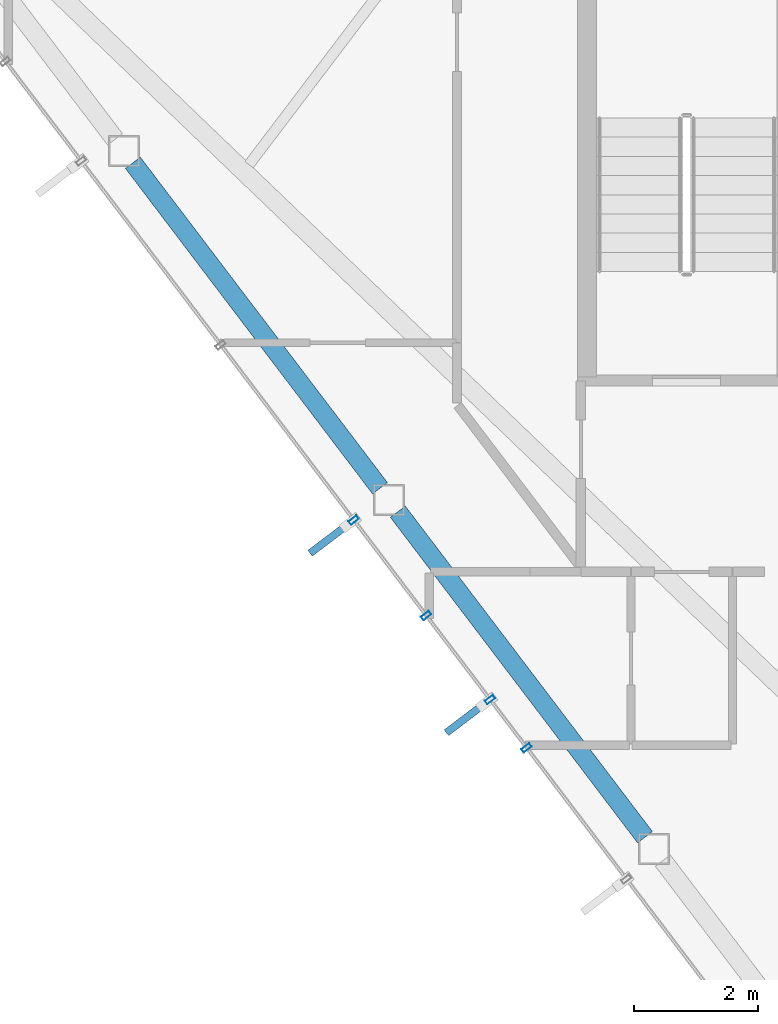
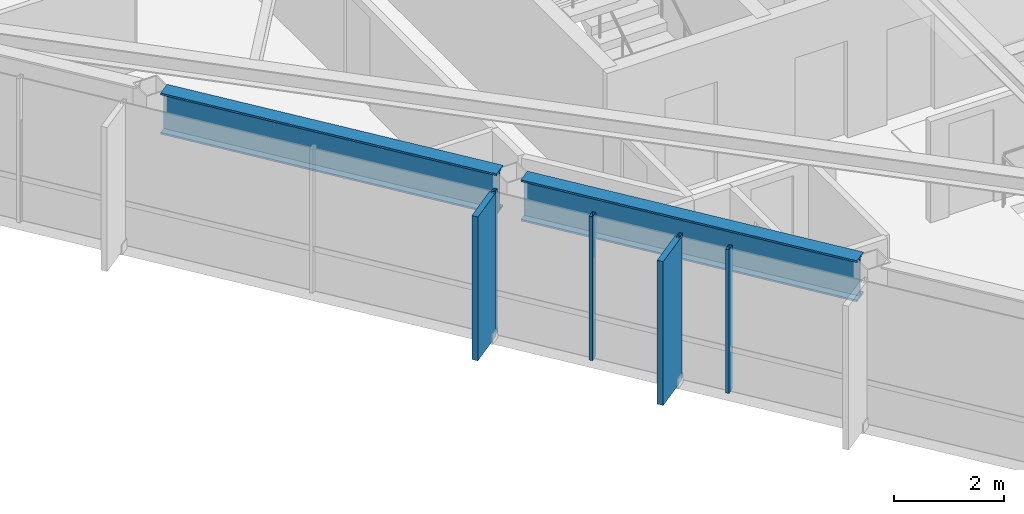
# One storey, part 3 of 24: 6 members, 2 beams, 1 element without a shape of its own.
"""IFC4 building model written with IfcOpenShell, lengths in metres."""

from ifc_helpers import new_model, si_unit, direction, frame, origin, origin_2d, place, context, subcontext, project, spatial, rectangle, hollow_rectangle, i_section, extrude, material, layer, layer_set, material_profile, profile_set, type_object, element, aggregate, save


model = new_model("IFC4")

# Units and contexts
model_context = context("Model", 3, precision=1e-05, world=origin(), true_north=direction((0.0, 1.0)))
body_context = subcontext(model_context, "Body", "Model", "MODEL_VIEW")
ifc_project = project(units=[si_unit("LENGTHUNIT", "METRE"), si_unit("AREAUNIT", "SQUARE_METRE"), si_unit("VOLUMEUNIT", "CUBIC_METRE"), si_unit("PLANEANGLEUNIT", "RADIAN"), si_unit("MASSUNIT", "GRAM", prefix="KILO")], contexts=[model_context])

# Site, building, storey
site_placement = place(None, origin())
site = spatial("IfcSite", under=ifc_project, at=site_placement, CompositionType="ELEMENT")
building_placement = place(site_placement, origin())
building = spatial("IfcBuilding", under=site, at=building_placement, Name="Zarrinselat Tower", CompositionType="ELEMENT")
storey_placement = place(building_placement, frame((0.0, 0.0, 268.60009765625)))
storey = spatial("IfcBuildingStorey", under=building, at=storey_placement, Name="L68", CompositionType="ELEMENT", Elevation=268.60009765625)

# Beams
ifc_material_1 = material(Name="Steel S460M", Category="steel")
ifc_material_profile_1 = material_profile(ifc_material_1, i_section(OverallWidth=0.302001953125, OverallDepth=0.909912109375, WebThickness=0.02099609375, FlangeThickness=0.0400390625, at=origin_2d()), Name="HEM 900")
ifc_profile_set_1 = profile_set([ifc_material_profile_1], Name="Steel S460M")
beam_type = type_object("IfcBeamType", Name="BM-HEM900", PredefinedType="BEAM", material=ifc_profile_set_1)
beam_1_placement = place(storey_placement, frame((21.314697265625, 36.756591796875, 2.724853515625), z_axis=(0.604776578329, -0.796395184757, 0.0), x_axis=(0.796395184757, 0.604776578329, 0.0)))
element("IfcBeam", 1, at=beam_1_placement, inside=storey, type_object=beam_type, Name="L68 Perimeter Spandrel Girder SP07", PredefinedType="BEAM", context=body_context, shape_type="SweptSolid", body=[
    extrude(i_section(OverallWidth=0.302001953125, OverallDepth=0.909912109375, WebThickness=0.02099609375, FlangeThickness=0.0400390625, at=origin_2d()), origin(), (0.0, 0.0, 1.0), 6.60107421875),
])
beam_2_placement = place(storey_placement, frame((25.5947265625, 31.12060546875, 2.724853515625), z_axis=(0.604800035021, -0.796377371375, 0.0), x_axis=(0.796377371375, 0.604800035021, 0.0)))
element("IfcBeam", 2, at=beam_2_placement, inside=storey, type_object=beam_type, Name="L68 Perimeter Spandrel Girder SP08", PredefinedType="BEAM", context=body_context, shape_type="SweptSolid", body=[
    extrude(i_section(OverallWidth=0.302001953125, OverallDepth=0.909912109375, WebThickness=0.02099609375, FlangeThickness=0.0400390625, at=origin_2d()), origin(), (0.0, 0.0, 1.0), 6.601318359375),
])

# Curtain wall, members
ifc_material_2 = material(Name="Extruded Aluminium Alloy EN AW-6063 T6", Category="aluminium")
ifc_layer = layer(ifc_material_2, 0.169921875)
ifc_layer_set = layer_set([ifc_layer], Name="Extruded Aluminium Alloy EN AW-6063 T6")
curtain_wall_type = type_object("IfcCurtainWallType", Name="CWS-RES", PredefinedType="NOTDEFINED", material=ifc_layer_set)
curtain_wall_placement = place(storey_placement, origin())
curtain_wall = element("IfcCurtainWall", 3, at=curtain_wall_placement, inside=storey, type_object=curtain_wall_type, Name="L68 Unitised Curtain Wall CW-L68-E03", PredefinedType="NOTDEFINED")
ifc_material_3 = material(Name="Extruded Aluminium Alloy EN AW-6063 T6", Category="aluminium")
ifc_material_profile_2 = material_profile(ifc_material_3, hollow_rectangle(XDim=0.070068359375, YDim=0.159912109375, WallThickness=0.00390625, at=origin_2d()), Name="RHS 160x70x4")
ifc_profile_set_2 = profile_set([ifc_material_profile_2], Name="Extruded Aluminium Alloy EN AW-6063 T6")
member_type_1 = type_object("IfcMemberType", Name="MEM-CW-MUL2", PredefinedType="MULLION", material=ifc_profile_set_2)
member_1_placement = place(storey_placement, frame((24.8818359375, 30.984619140625, 0.0), z_axis=(0.0, 0.0, 1.0), x_axis=(0.604787567266, -0.796386839721, 0.0)))
member_1 = element("IfcMember", 4, at=member_1_placement, type_object=member_type_1, Name="CW-L68-E03 Mullion 5", PredefinedType="MULLION", context=body_context, shape_type="SweptSolid", body=[
    extrude(hollow_rectangle(XDim=0.070068359375, YDim=0.159912109375, WallThickness=0.00390625, at=origin_2d()), origin(), (0.0, 0.0, 1.0), 3.179931640625),
])
member_2_placement = place(storey_placement, frame((26.05224609375, 29.443603515625, 0.0), z_axis=(0.0, 0.0, 1.0), x_axis=(0.604787567266, -0.796386839721, 0.0)))
member_2 = element("IfcMember", 5, at=member_2_placement, type_object=member_type_1, Name="CW-L68-E03 Mullion 6", PredefinedType="MULLION", context=body_context, shape_type="SweptSolid", body=[
    extrude(hollow_rectangle(XDim=0.070068359375, YDim=0.159912109375, WallThickness=0.00390625, at=origin_2d()), origin(), (0.0, 0.0, 1.0), 3.179931640625),
])
member_3_placement = place(storey_placement, frame((27.08349609375, 28.08544921875, 0.0), z_axis=(0.0, 0.0, 1.0), x_axis=(0.604787567266, -0.796386839721, 0.0)))
member_3 = element("IfcMember", 6, at=member_3_placement, type_object=member_type_1, Name="CW-L68-E03 Mullion 7", PredefinedType="MULLION", context=body_context, shape_type="SweptSolid", body=[
    extrude(hollow_rectangle(XDim=0.070068359375, YDim=0.159912109375, WallThickness=0.00390625, at=origin_2d()), origin(), (0.0, 0.0, 1.0), 3.179931640625),
])
member_4_placement = place(storey_placement, frame((27.67431640625, 27.3076171875, 0.0), z_axis=(0.0, 0.0, 1.0), x_axis=(0.604787567266, -0.796386839721, 0.0)))
member_4 = element("IfcMember", 7, at=member_4_placement, type_object=member_type_1, Name="CW-L68-E03 Mullion 8", PredefinedType="MULLION", context=body_context, shape_type="SweptSolid", body=[
    extrude(hollow_rectangle(XDim=0.070068359375, YDim=0.159912109375, WallThickness=0.00390625, at=origin_2d()), origin(), (0.0, 0.0, 1.0), 3.179931640625),
])
ifc_material_4 = material(Name="Honed Cream Travertine Stone", Category="masonry")
ifc_material_profile_3 = material_profile(ifc_material_4, rectangle(XDim=0.1201171875, YDim=0.85009765625, at=origin_2d()), Name="FIN 850x120")
ifc_profile_set_3 = profile_set([ifc_material_profile_3], Name="Honed Cream Travertine Stone")
member_type_2 = type_object("IfcMemberType", Name="MEM-STONE-FIN", PredefinedType="USERDEFINED", material=ifc_profile_set_3)
member_5_placement = place(storey_placement, frame((24.515380859375, 30.70654296875, 0.0), z_axis=(0.0, 0.0, 1.0), x_axis=(-0.604787567266, 0.796386839721, 0.0)))
member_5 = element("IfcMember", 8, at=member_5_placement, type_object=member_type_2, Name="L68 Stone Shading Fin CW-L68-E03-05", ObjectType="FIN", PredefinedType="USERDEFINED", context=body_context, shape_type="SweptSolid", body=[
    extrude(rectangle(XDim=0.1201171875, YDim=0.85009765625, at=origin_2d()), origin(), (0.0, 0.0, 1.0), 3.179931640625),
])
member_6_placement = place(storey_placement, frame((26.71728515625, 27.807373046875, 0.0), z_axis=(0.0, 0.0, 1.0), x_axis=(-0.604787567266, 0.796386839721, 0.0)))
member_6 = element("IfcMember", 9, at=member_6_placement, type_object=member_type_2, Name="L68 Stone Shading Fin CW-L68-E03-07", ObjectType="FIN", PredefinedType="USERDEFINED", context=body_context, shape_type="SweptSolid", body=[
    extrude(rectangle(XDim=0.1201171875, YDim=0.85009765625, at=origin_2d()), origin(), (0.0, 0.0, 1.0), 3.179931640625),
])
aggregate(curtain_wall, [member_1, member_5, member_2, member_3, member_6, member_4])

save(model, "model.ifc")
